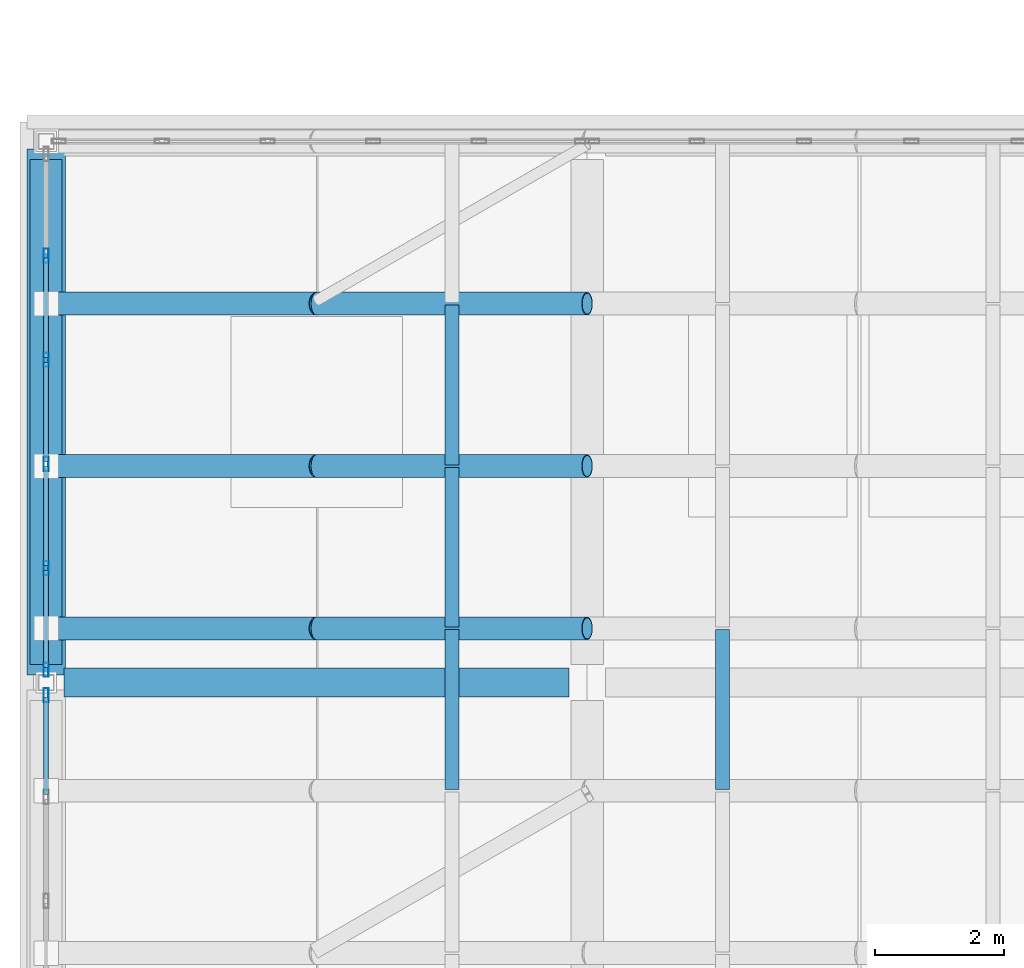
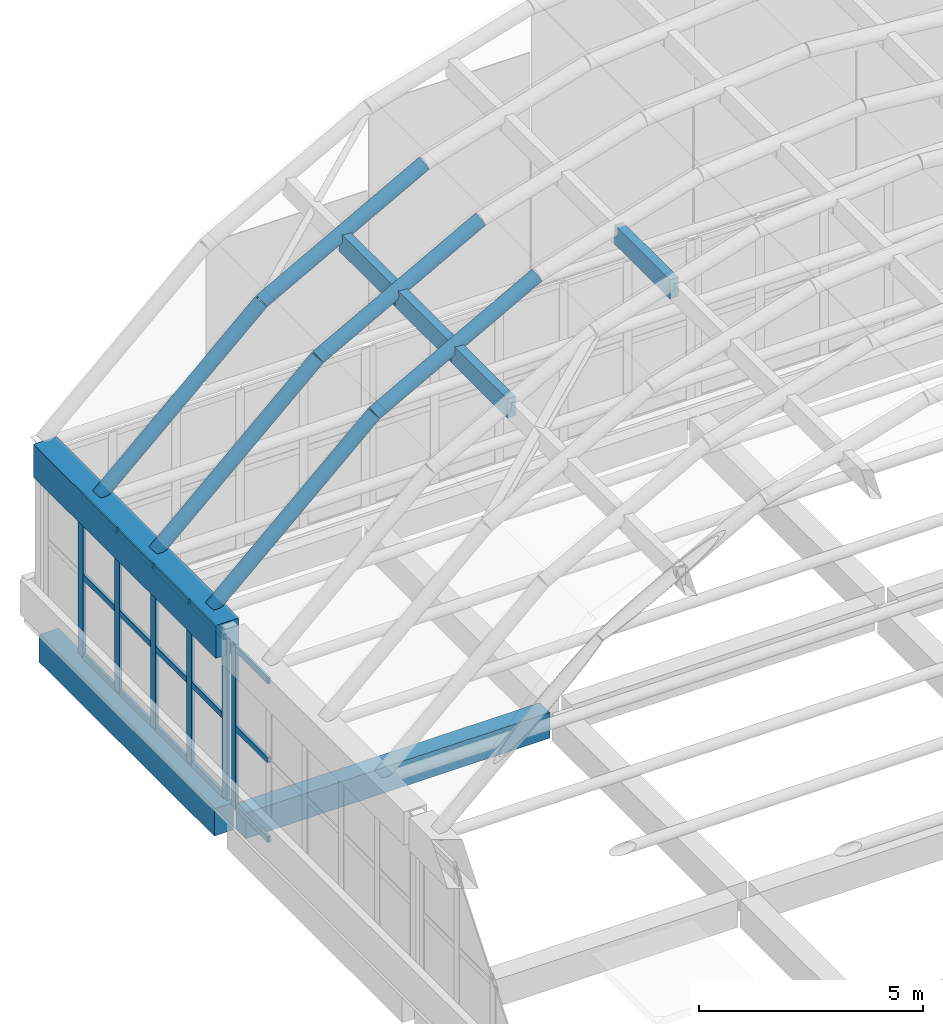
# One storey, part 13 of 26: 25 members, 9 beams, 2 elements without a shape of their own.
"""IFC4 building model written with IfcOpenShell, lengths in metres."""

from ifc_helpers import new_model, si_unit, direction, frame, origin, origin_2d, place, context, subcontext, project, spatial, rectangle, hollow_rectangle, hollow_circle, extrude, material, layer, layer_set, material_profile, profile_set, type_object, element, aggregate, save


model = new_model("IFC4")

# Units and contexts
model_context = context("Model", 3, precision=1e-05, world=origin(), true_north=direction((0.0, 1.0)))
body_context = subcontext(model_context, "Body", "Model", "MODEL_VIEW")
ifc_project = project(units=[si_unit("LENGTHUNIT", "METRE"), si_unit("AREAUNIT", "SQUARE_METRE"), si_unit("VOLUMEUNIT", "CUBIC_METRE"), si_unit("PLANEANGLEUNIT", "RADIAN"), si_unit("MASSUNIT", "GRAM", prefix="KILO")], contexts=[model_context])

# Site, building, storey
site_placement = place(None, origin())
site = spatial("IfcSite", under=ifc_project, at=site_placement, CompositionType="ELEMENT")
building_placement = place(site_placement, origin())
building = spatial("IfcBuilding", under=site, at=building_placement, Name="Xazarin Passage Department Store", CompositionType="ELEMENT")
storey_placement = place(building_placement, frame((0.0, 0.0, 36.89990234375)))
storey = spatial("IfcBuildingStorey", under=building, at=storey_placement, Name="RF", CompositionType="ELEMENT", Elevation=36.89990234375)

# Curtain wall, member
ifc_material_1 = material(Name="Bronze anodised aluminium", Category="aluminium")
ifc_layer = layer(ifc_material_1, 0.199951171875)
ifc_layer_set = layer_set([ifc_layer], Name="Bronze anodised aluminium")
curtain_wall_type = type_object("IfcCurtainWallType", Name="ARC-CW-VIT2", PredefinedType="NOTDEFINED", material=ifc_layer_set)
curtain_wall_1_placement = place(storey_placement, origin())
curtain_wall_1 = element("IfcCurtainWall", 1, at=curtain_wall_1_placement, inside=storey, type_object=curtain_wall_type, Name="RF V1 Atrium Lantern Curtain Wall 03", PredefinedType="NOTDEFINED")
ifc_material_profile_1 = material_profile(ifc_material_1, hollow_rectangle(XDim=0.074951171875, YDim=0.219970703125, WallThickness=0.0048828125, at=origin_2d()), Name="ALU 75x220")
ifc_profile_set_1 = profile_set([ifc_material_profile_1], Name="Bronze anodised aluminium")
member_type_1 = type_object("IfcMemberType", Name="ARC-CWM-75x220", PredefinedType="MULLION", material=ifc_profile_set_1)
member_1_placement = place(storey_placement, frame((0.0, 93.00244140625, 0.0), z_axis=(0.0, 0.0, 1.0), x_axis=(-1.0, 0.0, 0.0)))
member_1 = element("IfcMember", 2, at=member_1_placement, type_object=member_type_1, Name="CW2 mullion 6", PredefinedType="MULLION", context=body_context, shape_type="SweptSolid", body=[
    extrude(hollow_rectangle(XDim=0.074951171875, YDim=0.219970703125, WallThickness=0.0048828125, at=origin_2d()), origin(), (0.0, 0.0, 1.0), 4.404296875),
])

# Curtain wall, members
curtain_wall_2_placement = place(storey_placement, origin())
curtain_wall_2 = element("IfcCurtainWall", 3, at=curtain_wall_2_placement, inside=storey, type_object=curtain_wall_type, Name="RF V1 Atrium Lantern Curtain Wall 05", PredefinedType="NOTDEFINED")
member_2_placement = place(storey_placement, frame((0.0, 93.3974609375, 0.0), z_axis=(0.0, 0.0, 1.0), x_axis=(-1.0, 0.0, 0.0)))
member_2 = element("IfcMember", 4, at=member_2_placement, type_object=member_type_1, Name="CW2 mullion 1", PredefinedType="MULLION", context=body_context, shape_type="SweptSolid", body=[
    extrude(hollow_rectangle(XDim=0.074951171875, YDim=0.219970703125, WallThickness=0.0048828125, at=origin_2d()), origin(), (0.0, 0.0, 1.0), 4.404296875),
])
member_3_placement = place(storey_placement, frame((0.0, 94.97607421875, 0.0), z_axis=(0.0, 0.0, 1.0), x_axis=(-1.0, 0.0, 0.0)))
member_3 = element("IfcMember", 5, at=member_3_placement, type_object=member_type_1, Name="CW2 mullion 2", PredefinedType="MULLION", context=body_context, shape_type="SweptSolid", body=[
    extrude(hollow_rectangle(XDim=0.074951171875, YDim=0.219970703125, WallThickness=0.0048828125, at=origin_2d()), origin(), (0.0, 0.0, 1.0), 4.404296875),
])
member_4_placement = place(storey_placement, frame((0.0, 96.592041015625, 0.0), z_axis=(0.0, 0.0, 1.0), x_axis=(-1.0, 0.0, 0.0)))
member_4 = element("IfcMember", 6, at=member_4_placement, type_object=member_type_1, Name="CW2 mullion 3", PredefinedType="MULLION", context=body_context, shape_type="SweptSolid", body=[
    extrude(hollow_rectangle(XDim=0.074951171875, YDim=0.219970703125, WallThickness=0.0048828125, at=origin_2d()), origin(), (0.0, 0.0, 1.0), 4.404296875),
])
member_5_placement = place(storey_placement, frame((0.0, 98.2080078125, 0.0), z_axis=(0.0, 0.0, 1.0), x_axis=(-1.0, 0.0, 0.0)))
member_5 = element("IfcMember", 7, at=member_5_placement, type_object=member_type_1, Name="CW2 mullion 4", PredefinedType="MULLION", context=body_context, shape_type="SweptSolid", body=[
    extrude(hollow_rectangle(XDim=0.074951171875, YDim=0.219970703125, WallThickness=0.0048828125, at=origin_2d()), origin(), (0.0, 0.0, 1.0), 4.404296875),
])
member_6_placement = place(storey_placement, frame((0.0, 99.823974609375, 0.0), z_axis=(0.0, 0.0, 1.0), x_axis=(-1.0, 0.0, 0.0)))
member_6 = element("IfcMember", 8, at=member_6_placement, type_object=member_type_1, Name="CW2 mullion 5", PredefinedType="MULLION", context=body_context, shape_type="SweptSolid", body=[
    extrude(hollow_rectangle(XDim=0.074951171875, YDim=0.219970703125, WallThickness=0.0048828125, at=origin_2d()), origin(), (0.0, 0.0, 1.0), 4.404296875),
])

# Member
ifc_material_profile_2 = material_profile(ifc_material_1, hollow_rectangle(XDim=0.074951171875, YDim=0.159912109375, WallThickness=0.00439453125, at=origin_2d()), Name="ALU 75x160")
ifc_profile_set_2 = profile_set([ifc_material_profile_2], Name="Bronze anodised aluminium")
member_type_2 = type_object("IfcMemberType", Name="ARC-CWT-75x160", PredefinedType="USERDEFINED", material=ifc_profile_set_2)
member_7_placement = place(storey_placement, frame((0.0, 91.46142578125, 0.03759765625), z_axis=(0.0, 1.0, 0.0), x_axis=(-1.0, 0.0, 0.0)))
member_7 = element("IfcMember", 9, at=member_7_placement, type_object=member_type_2, Name="CW2 transom 5.1", ObjectType="TRANSOM", PredefinedType="USERDEFINED", context=body_context, shape_type="SweptSolid", body=[
    extrude(hollow_rectangle(XDim=0.074951171875, YDim=0.159912109375, WallThickness=0.00439453125, at=origin_2d()), origin(), (0.0, 0.0, 1.0), 1.503662109375),
])

member_8_placement = place(storey_placement, frame((0.0, 91.46142578125, 2.2021484375), z_axis=(0.0, 1.0, 0.0), x_axis=(-1.0, 0.0, 0.0)))
member_8 = element("IfcMember", 10, at=member_8_placement, type_object=member_type_2, Name="CW2 transom 5.2", ObjectType="TRANSOM", PredefinedType="USERDEFINED", context=body_context, shape_type="SweptSolid", body=[
    extrude(hollow_rectangle(XDim=0.074951171875, YDim=0.159912109375, WallThickness=0.00439453125, at=origin_2d()), origin(), (0.0, 0.0, 1.0), 1.503662109375),
])

member_9_placement = place(storey_placement, frame((0.0, 91.46142578125, 4.36669921875), z_axis=(0.0, 1.0, 0.0), x_axis=(-1.0, 0.0, 0.0)))
member_9 = element("IfcMember", 11, at=member_9_placement, type_object=member_type_2, Name="CW2 transom 5.3", ObjectType="TRANSOM", PredefinedType="USERDEFINED", context=body_context, shape_type="SweptSolid", body=[
    extrude(hollow_rectangle(XDim=0.074951171875, YDim=0.159912109375, WallThickness=0.00439453125, at=origin_2d()), origin(), (0.0, 0.0, 1.0), 1.503662109375),
])

aggregate(curtain_wall_1, [member_1, member_7, member_8, member_9])

member_10_placement = place(storey_placement, frame((0.0, 93.43505859375, 0.03759765625), z_axis=(0.0, 1.0, 0.0), x_axis=(-1.0, 0.0, 0.0)))
member_10 = element("IfcMember", 12, at=member_10_placement, type_object=member_type_2, Name="CW2 transom 1.1", ObjectType="TRANSOM", PredefinedType="USERDEFINED", context=body_context, shape_type="SweptSolid", body=[
    extrude(hollow_rectangle(XDim=0.074951171875, YDim=0.159912109375, WallThickness=0.00439453125, at=origin_2d()), origin(), (0.0, 0.0, 1.0), 1.50341796875),
])

member_11_placement = place(storey_placement, frame((0.0, 93.43505859375, 2.2021484375), z_axis=(0.0, 1.0, 0.0), x_axis=(-1.0, 0.0, 0.0)))
member_11 = element("IfcMember", 13, at=member_11_placement, type_object=member_type_2, Name="CW2 transom 1.2", ObjectType="TRANSOM", PredefinedType="USERDEFINED", context=body_context, shape_type="SweptSolid", body=[
    extrude(hollow_rectangle(XDim=0.074951171875, YDim=0.159912109375, WallThickness=0.00439453125, at=origin_2d()), origin(), (0.0, 0.0, 1.0), 1.50341796875),
])

member_12_placement = place(storey_placement, frame((0.0, 93.43505859375, 4.36669921875), z_axis=(0.0, 1.0, 0.0), x_axis=(-1.0, 0.0, 0.0)))
member_12 = element("IfcMember", 14, at=member_12_placement, type_object=member_type_2, Name="CW2 transom 1.3", ObjectType="TRANSOM", PredefinedType="USERDEFINED", context=body_context, shape_type="SweptSolid", body=[
    extrude(hollow_rectangle(XDim=0.074951171875, YDim=0.159912109375, WallThickness=0.00439453125, at=origin_2d()), origin(), (0.0, 0.0, 1.0), 1.50341796875),
])

member_13_placement = place(storey_placement, frame((0.0, 95.013427734375, 0.03759765625), z_axis=(0.0, 1.0, 0.0), x_axis=(-1.0, 0.0, 0.0)))
member_13 = element("IfcMember", 15, at=member_13_placement, type_object=member_type_2, Name="CW2 transom 2.1", ObjectType="TRANSOM", PredefinedType="USERDEFINED", context=body_context, shape_type="SweptSolid", body=[
    extrude(hollow_rectangle(XDim=0.074951171875, YDim=0.159912109375, WallThickness=0.00439453125, at=origin_2d()), origin(), (0.0, 0.0, 1.0), 1.541015625),
])

member_14_placement = place(storey_placement, frame((0.0, 95.013427734375, 2.2021484375), z_axis=(0.0, 1.0, 0.0), x_axis=(-1.0, 0.0, 0.0)))
member_14 = element("IfcMember", 16, at=member_14_placement, type_object=member_type_2, Name="CW2 transom 2.2", ObjectType="TRANSOM", PredefinedType="USERDEFINED", context=body_context, shape_type="SweptSolid", body=[
    extrude(hollow_rectangle(XDim=0.074951171875, YDim=0.159912109375, WallThickness=0.00439453125, at=origin_2d()), origin(), (0.0, 0.0, 1.0), 1.541015625),
])

member_15_placement = place(storey_placement, frame((0.0, 95.013427734375, 4.36669921875), z_axis=(0.0, 1.0, 0.0), x_axis=(-1.0, 0.0, 0.0)))
member_15 = element("IfcMember", 17, at=member_15_placement, type_object=member_type_2, Name="CW2 transom 2.3", ObjectType="TRANSOM", PredefinedType="USERDEFINED", context=body_context, shape_type="SweptSolid", body=[
    extrude(hollow_rectangle(XDim=0.074951171875, YDim=0.159912109375, WallThickness=0.00439453125, at=origin_2d()), origin(), (0.0, 0.0, 1.0), 1.541015625),
])

member_16_placement = place(storey_placement, frame((0.0, 96.62939453125, 0.03759765625), z_axis=(0.0, 1.0, 0.0), x_axis=(-1.0, 0.0, 0.0)))
member_16 = element("IfcMember", 18, at=member_16_placement, type_object=member_type_2, Name="CW2 transom 3.1", ObjectType="TRANSOM", PredefinedType="USERDEFINED", context=body_context, shape_type="SweptSolid", body=[
    extrude(hollow_rectangle(XDim=0.074951171875, YDim=0.159912109375, WallThickness=0.00439453125, at=origin_2d()), origin(), (0.0, 0.0, 1.0), 1.541015625),
])

member_17_placement = place(storey_placement, frame((0.0, 96.62939453125, 2.2021484375), z_axis=(0.0, 1.0, 0.0), x_axis=(-1.0, 0.0, 0.0)))
member_17 = element("IfcMember", 19, at=member_17_placement, type_object=member_type_2, Name="CW2 transom 3.2", ObjectType="TRANSOM", PredefinedType="USERDEFINED", context=body_context, shape_type="SweptSolid", body=[
    extrude(hollow_rectangle(XDim=0.074951171875, YDim=0.159912109375, WallThickness=0.00439453125, at=origin_2d()), origin(), (0.0, 0.0, 1.0), 1.541015625),
])

member_18_placement = place(storey_placement, frame((0.0, 96.62939453125, 4.36669921875), z_axis=(0.0, 1.0, 0.0), x_axis=(-1.0, 0.0, 0.0)))
member_18 = element("IfcMember", 20, at=member_18_placement, type_object=member_type_2, Name="CW2 transom 3.3", ObjectType="TRANSOM", PredefinedType="USERDEFINED", context=body_context, shape_type="SweptSolid", body=[
    extrude(hollow_rectangle(XDim=0.074951171875, YDim=0.159912109375, WallThickness=0.00439453125, at=origin_2d()), origin(), (0.0, 0.0, 1.0), 1.541015625),
])

member_19_placement = place(storey_placement, frame((0.0, 98.24560546875, 0.03759765625), z_axis=(0.0, 1.0, 0.0), x_axis=(-1.0, 0.0, 0.0)))
member_19 = element("IfcMember", 21, at=member_19_placement, type_object=member_type_2, Name="CW2 transom 4.1", ObjectType="TRANSOM", PredefinedType="USERDEFINED", context=body_context, shape_type="SweptSolid", body=[
    extrude(hollow_rectangle(XDim=0.074951171875, YDim=0.159912109375, WallThickness=0.00439453125, at=origin_2d()), origin(), (0.0, 0.0, 1.0), 1.541015625),
])

member_20_placement = place(storey_placement, frame((0.0, 98.24560546875, 2.2021484375), z_axis=(0.0, 1.0, 0.0), x_axis=(-1.0, 0.0, 0.0)))
member_20 = element("IfcMember", 22, at=member_20_placement, type_object=member_type_2, Name="CW2 transom 4.2", ObjectType="TRANSOM", PredefinedType="USERDEFINED", context=body_context, shape_type="SweptSolid", body=[
    extrude(hollow_rectangle(XDim=0.074951171875, YDim=0.159912109375, WallThickness=0.00439453125, at=origin_2d()), origin(), (0.0, 0.0, 1.0), 1.541015625),
])

member_21_placement = place(storey_placement, frame((0.0, 98.24560546875, 4.36669921875), z_axis=(0.0, 1.0, 0.0), x_axis=(-1.0, 0.0, 0.0)))
member_21 = element("IfcMember", 23, at=member_21_placement, type_object=member_type_2, Name="CW2 transom 4.3", ObjectType="TRANSOM", PredefinedType="USERDEFINED", context=body_context, shape_type="SweptSolid", body=[
    extrude(hollow_rectangle(XDim=0.074951171875, YDim=0.159912109375, WallThickness=0.00439453125, at=origin_2d()), origin(), (0.0, 0.0, 1.0), 1.541015625),
])

aggregate(curtain_wall_2, [member_2, member_3, member_4, member_5, member_6, member_10, member_11, member_12, member_13, member_14, member_15, member_16, member_17, member_18, member_19, member_20, member_21])

# Beams
ifc_material_2 = material(Name="Steel S355", Category="steel")
ifc_material_profile_3 = material_profile(ifc_material_2, hollow_circle(Radius=0.177734375, WallThickness=0.01611328125, at=origin_2d()), Name="CHS 355.6x16")
ifc_profile_set_3 = profile_set([ifc_material_profile_3], Name="Steel S355")
beam_type_1 = type_object("IfcBeamType", Name="STR-BM-AR355", PredefinedType="BEAM", material=ifc_profile_set_3)
beam_1_placement = place(storey_placement, frame((0.0, 94.0400390625, 4.80419921875), z_axis=(0.738872189824, 0.0, 0.673845595893), x_axis=(0.0, 1.0, 0.0)))
element("IfcBeam", 24, at=beam_1_placement, inside=storey, type_object=beam_type_1, Name="V1V Primary Arch Rib 8.1", PredefinedType="BEAM", context=body_context, shape_type="SweptSolid", body=[
    extrude(hollow_circle(Radius=0.177734375, WallThickness=0.01611328125, at=origin_2d()), origin(), (0.0, 0.0, 1.0), 5.684326171875),
])
beam_2_placement = place(storey_placement, frame((4.199951171875, 94.0400390625, 8.634521484375), z_axis=(0.877197007336, 0.0, 0.480130617978), x_axis=(0.0, 1.0, 0.0)))
element("IfcBeam", 25, at=beam_2_placement, inside=storey, type_object=beam_type_1, Name="V1V Primary Arch Rib 8.2", PredefinedType="BEAM", context=body_context, shape_type="SweptSolid", body=[
    extrude(hollow_circle(Radius=0.177734375, WallThickness=0.01611328125, at=origin_2d()), origin(), (0.0, 0.0, 1.0), 4.787841796875),
])
beam_3_placement = place(storey_placement, frame((0.0, 96.56005859375, 4.80419921875), z_axis=(0.738872189824, 0.0, 0.673845595893), x_axis=(0.0, 1.0, 0.0)))
element("IfcBeam", 26, at=beam_3_placement, inside=storey, type_object=beam_type_1, Name="V1V Primary Arch Rib 9.1", PredefinedType="BEAM", context=body_context, shape_type="SweptSolid", body=[
    extrude(hollow_circle(Radius=0.177734375, WallThickness=0.01611328125, at=origin_2d()), origin(), (0.0, 0.0, 1.0), 5.684326171875),
])
beam_4_placement = place(storey_placement, frame((4.199951171875, 96.56005859375, 8.634521484375), z_axis=(0.877197007336, 0.0, 0.480130617978), x_axis=(0.0, 1.0, 0.0)))
element("IfcBeam", 27, at=beam_4_placement, inside=storey, type_object=beam_type_1, Name="V1V Primary Arch Rib 9.2", PredefinedType="BEAM", context=body_context, shape_type="SweptSolid", body=[
    extrude(hollow_circle(Radius=0.177734375, WallThickness=0.01611328125, at=origin_2d()), origin(), (0.0, 0.0, 1.0), 4.787841796875),
])
beam_5_placement = place(storey_placement, frame((0.0, 99.080078125, 4.80419921875), z_axis=(0.738872189824, 0.0, 0.673845595893), x_axis=(0.0, 1.0, 0.0)))
element("IfcBeam", 28, at=beam_5_placement, inside=storey, type_object=beam_type_1, Name="V1V Primary Arch Rib 10.1", PredefinedType="BEAM", context=body_context, shape_type="SweptSolid", body=[
    extrude(hollow_circle(Radius=0.177734375, WallThickness=0.01611328125, at=origin_2d()), origin(), (0.0, 0.0, 1.0), 5.684326171875),
])
beam_6_placement = place(storey_placement, frame((4.199951171875, 99.080078125, 8.634521484375), z_axis=(0.877197007336, 0.0, 0.480130617978), x_axis=(0.0, 1.0, 0.0)))
element("IfcBeam", 29, at=beam_6_placement, inside=storey, type_object=beam_type_1, Name="V1V Primary Arch Rib 10.2", PredefinedType="BEAM", context=body_context, shape_type="SweptSolid", body=[
    extrude(hollow_circle(Radius=0.177734375, WallThickness=0.01611328125, at=origin_2d()), origin(), (0.0, 0.0, 1.0), 4.787841796875),
])
ifc_material_3 = material(Name="Concrete C35/45", Category="concrete")
ifc_material_profile_4 = material_profile(ifc_material_3, rectangle(XDim=0.449951171875, YDim=0.699951171875, at=origin_2d()), Name="RC 450x700")
ifc_profile_set_4 = profile_set([ifc_material_profile_4], Name="Concrete C35/45")
beam_type_2 = type_object("IfcBeamType", Name="STR-BM-G450x700", PredefinedType="BEAM", material=ifc_profile_set_4)
beam_7_placement = place(storey_placement, frame((0.280029296875, 93.199951171875, -0.60986328125), z_axis=(1.0, 0.0, 0.0), x_axis=(0.0, 1.0, 0.0)))
element("IfcBeam", 30, at=beam_7_placement, inside=storey, type_object=beam_type_2, Name="RF Grid Beam N/1-2", PredefinedType="BEAM", context=body_context, shape_type="SweptSolid", body=[
    extrude(rectangle(XDim=0.449951171875, YDim=0.699951171875, at=origin_2d()), origin(), (0.0, 0.0, 1.0), 7.840087890625),
])
ifc_material_4 = material(Name="Concrete C40/50", Category="concrete")
ifc_material_profile_5 = material_profile(ifc_material_4, rectangle(XDim=0.60009765625, YDim=0.89990234375, at=origin_2d()), Name="RC 600x900")
ifc_profile_set_5 = profile_set([ifc_material_profile_5], Name="Concrete C40/50")
beam_type_3 = type_object("IfcBeamType", Name="STR-BM-RG600x900", PredefinedType="BEAM", material=ifc_profile_set_5)
beam_8_placement = place(storey_placement, frame((0.0, 93.320068359375, 4.404296875), z_axis=(0.0, 1.0, 0.0), x_axis=(-1.0, 0.0, 0.0)))
element("IfcBeam", 31, at=beam_8_placement, inside=storey, type_object=beam_type_3, Name="V1V Springing Ring Girder W-3", PredefinedType="BEAM", context=body_context, shape_type="SweptSolid", body=[
    extrude(rectangle(XDim=0.60009765625, YDim=0.89990234375, at=origin_2d()), origin(), (0.0, 0.0, 1.0), 8.159912109375),
])
ifc_material_profile_6 = material_profile(ifc_material_3, rectangle(XDim=0.5, YDim=0.75, at=origin_2d()), Name="RC 500x750")
ifc_profile_set_6 = profile_set([ifc_material_profile_6], Name="Concrete C35/45")
beam_type_4 = type_object("IfcBeamType", Name="STR-BM-SP500x750", PredefinedType="SPANDREL", material=ifc_profile_set_6)
beam_9_placement = place(storey_placement, frame((0.0, 93.47998046875, -0.635009765625), z_axis=(0.0, 1.0, 0.0), x_axis=(-1.0, 0.0, 0.0)))
element("IfcBeam", 32, at=beam_9_placement, inside=storey, type_object=beam_type_4, Name="RF Grid Beam 1/N-P", PredefinedType="SPANDREL", context=body_context, shape_type="SweptSolid", body=[
    extrude(rectangle(XDim=0.5, YDim=0.75, at=origin_2d()), origin(), (0.0, 0.0, 1.0), 7.840087890625),
])

# Members
ifc_material_5 = material(Name="Glulam GL28h", Category="wood")
ifc_material_profile_7 = material_profile(ifc_material_5, rectangle(XDim=0.219970703125, YDim=0.52001953125, at=origin_2d()), Name="GL28h 220x520")
ifc_profile_set_7 = profile_set([ifc_material_profile_7], Name="Glulam GL28h")
member_type_3 = type_object("IfcMemberType", Name="STR-MEM-GL520", PredefinedType="PURLIN", material=ifc_profile_set_7)
for number, where, z_axis, x_axis, name in (
    (33, (6.300048828125, 91.5400390625, 9.581787109375), (0.0, 1.0, 0.0), (-1.0, 0.0, 0.0), "V1V Glulam Gridshell Purlin 7.2"),
    (34, (10.5, 91.5400390625, 11.3623046875), (0.0, 1.0, 0.0), (-1.0, 0.0, 0.0), "V1V Glulam Gridshell Purlin 7.3"),
    (35, (6.300048828125, 94.06005859375, 9.581787109375), (0.0, 1.0, 0.0), (-1.0, 0.0, 0.0), "V1V Glulam Gridshell Purlin 8.2"),
    (36, (6.300048828125, 96.580078125, 9.581787109375), (0.0, 1.0, 0.0), (-1.0, 0.0, 0.0), "V1V Glulam Gridshell Purlin 9.2"),
):
    element("IfcMember", number, at=place(storey_placement, frame(where, z_axis=z_axis, x_axis=x_axis)), inside=storey, type_object=member_type_3, Name=name, PredefinedType="PURLIN", context=body_context, shape_type="SweptSolid", body=[
        extrude(rectangle(XDim=0.219970703125, YDim=0.52001953125, at=origin_2d()), origin(), (0.0, 0.0, 1.0), 2.47998046875),
    ])

save(model, "model.ifc")
